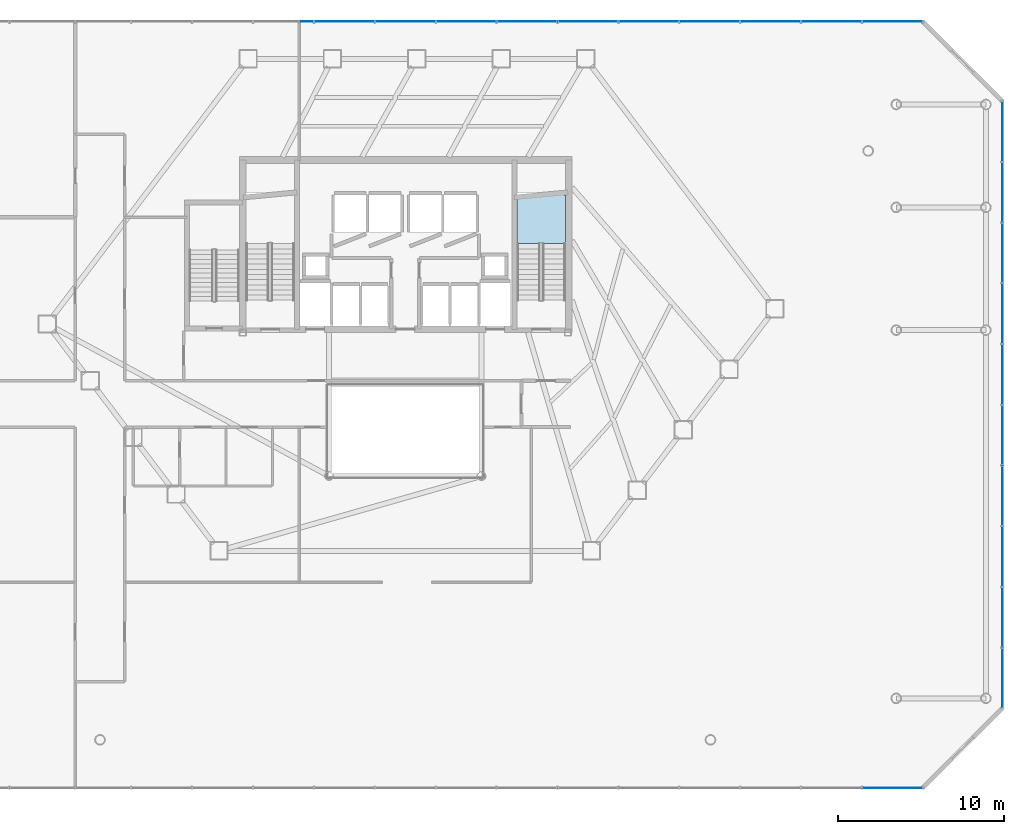
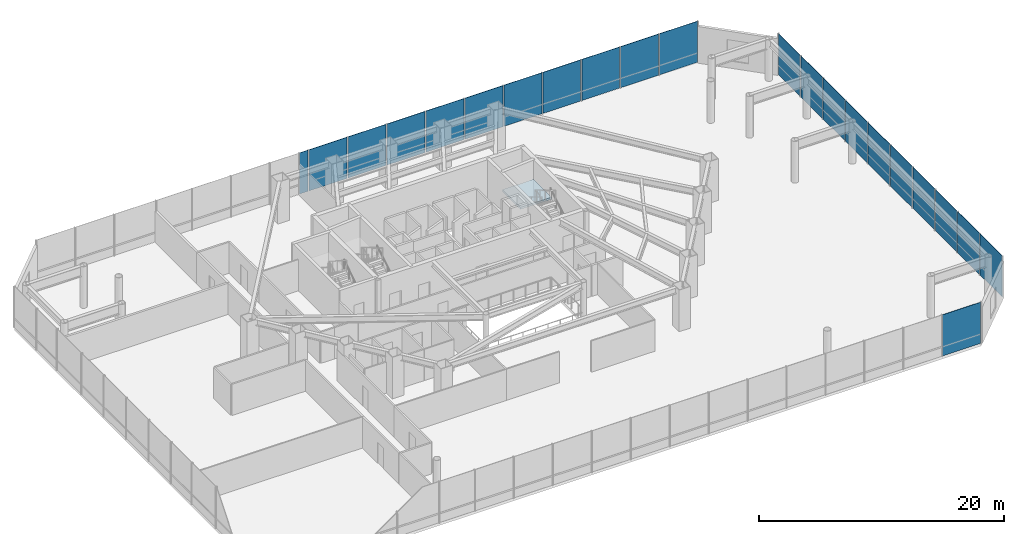
# One storey, part 33 of 37: 22 plates, 1 slab, 4 elements without a shape of their own.
"""IFC4 building model written with IfcOpenShell, lengths in metres."""

from ifc_helpers import new_model, si_unit, direction, frame, origin, origin_2d, place, context, subcontext, project, spatial, polyline, rectangle, outline, extrude, material, layer, layer_set, type_object, element, aggregate, save


model = new_model("IFC4")

# Units and contexts
model_context = context("Model", 3, precision=1e-05, world=origin(), true_north=direction((0.0, 1.0)))
body_context = subcontext(model_context, "Body", "Model", "MODEL_VIEW")
ifc_project = project(units=[si_unit("LENGTHUNIT", "METRE"), si_unit("AREAUNIT", "SQUARE_METRE"), si_unit("VOLUMEUNIT", "CUBIC_METRE"), si_unit("PLANEANGLEUNIT", "RADIAN"), si_unit("MASSUNIT", "GRAM", prefix="KILO")], contexts=[model_context])

# Site, building, storey
site_placement = place(None, origin())
site = spatial("IfcSite", under=ifc_project, at=site_placement, CompositionType="ELEMENT")
building_placement = place(site_placement, origin())
building = spatial("IfcBuilding", under=site, at=building_placement, Name="Zarrinselat Tower", CompositionType="ELEMENT")
storey_placement = place(building_placement, frame((0.0, 0.0, 9.52001953125)))
storey = spatial("IfcBuildingStorey", under=building, at=storey_placement, Name="L02", CompositionType="ELEMENT", Elevation=9.52001953125)

# Curtain wall, plate
ifc_material_1 = material(Name="Extruded Aluminium Alloy EN AW-6063 T6", Category="aluminium")
ifc_layer_1 = layer(ifc_material_1, 0.2099609375)
ifc_layer_set_1 = layer_set([ifc_layer_1], Name="Extruded Aluminium Alloy EN AW-6063 T6")
curtain_wall_type = type_object("IfcCurtainWallType", Name="CWS-POD", PredefinedType="NOTDEFINED", material=ifc_layer_set_1)
curtain_wall_1_placement = place(storey_placement, origin())
curtain_wall_1 = element("IfcCurtainWall", 1, at=curtain_wall_1_placement, inside=storey, type_object=curtain_wall_type, Name="L02 Unitised Curtain Wall CW-L02-F1", PredefinedType="NOTDEFINED")
ifc_material_2 = material(Name="Double Low-E Laminated Solar Glass", Category="glass")
ifc_layer_2 = layer(ifc_material_2, 0.035888671875)
ifc_layer_set_2 = layer_set([ifc_layer_2], Name="Double Low-E Laminated Solar Glass")
plate_type = type_object("IfcPlateType", Name="PLT-CW-GL36", PredefinedType="CURTAIN_PANEL", material=ifc_layer_set_2)
plate_1_placement = place(storey_placement, frame((67.7646484375, 5.60009765625, 0.02001953125), z_axis=(0.0, 0.0, 1.0), x_axis=(1.0, 0.0, 0.0)))
plate_1 = element("IfcPlate", 2, at=plate_1_placement, type_object=plate_type, Name="CW-L02-F1 Vision Glass Panel 17", PredefinedType="CURTAIN_PANEL", context=body_context, shape_type="SweptSolid", body=[
    extrude(rectangle(XDim=3.570556640625, YDim=0.035888671875, at=origin_2d()), origin(), (0.0, 0.0, 1.0), 4.10009765625),
])
aggregate(curtain_wall_1, [plate_1])

# Curtain wall, plates
curtain_wall_2_placement = place(storey_placement, origin())
curtain_wall_2 = element("IfcCurtainWall", 3, at=curtain_wall_2_placement, inside=storey, type_object=curtain_wall_type, Name="L02 Unitised Curtain Wall CW-L02-F3", PredefinedType="NOTDEFINED")
plate_2_placement = place(storey_placement, frame((74.39990234375, 12.22998046875, 0.02001953125), z_axis=(0.0, 0.0, 1.0), x_axis=(0.0, 1.0, 0.0)))
plate_2 = element("IfcPlate", 4, at=plate_2_placement, type_object=plate_type, Name="CW-L02-F3 Vision Glass Panel 1", PredefinedType="CURTAIN_PANEL", context=body_context, shape_type="SweptSolid", body=[
    extrude(rectangle(XDim=3.56005859375, YDim=0.035888671875, at=origin_2d()), origin(), (0.0, 0.0, 1.0), 4.10009765625),
])
plate_3_placement = place(storey_placement, frame((74.39990234375, 15.889892578125, 0.02001953125), z_axis=(0.0, 0.0, 1.0), x_axis=(0.0, 1.0, 0.0)))
plate_3 = element("IfcPlate", 5, at=plate_3_placement, type_object=plate_type, Name="CW-L02-F3 Vision Glass Panel 2", PredefinedType="CURTAIN_PANEL", context=body_context, shape_type="SweptSolid", body=[
    extrude(rectangle(XDim=3.56005859375, YDim=0.035888671875, at=origin_2d()), origin(), (0.0, 0.0, 1.0), 4.10009765625),
])
plate_4_placement = place(storey_placement, frame((74.39990234375, 19.550048828125, 0.02001953125), z_axis=(0.0, 0.0, 1.0), x_axis=(0.0, 1.0, 0.0)))
plate_4 = element("IfcPlate", 6, at=plate_4_placement, type_object=plate_type, Name="CW-L02-F3 Vision Glass Panel 3", PredefinedType="CURTAIN_PANEL", context=body_context, shape_type="SweptSolid", body=[
    extrude(rectangle(XDim=3.56005859375, YDim=0.035888671875, at=origin_2d()), origin(), (0.0, 0.0, 1.0), 4.10009765625),
])
plate_5_placement = place(storey_placement, frame((74.39990234375, 23.2099609375, 0.02001953125), z_axis=(0.0, 0.0, 1.0), x_axis=(0.0, 1.0, 0.0)))
plate_5 = element("IfcPlate", 7, at=plate_5_placement, type_object=plate_type, Name="CW-L02-F3 Vision Glass Panel 4", PredefinedType="CURTAIN_PANEL", context=body_context, shape_type="SweptSolid", body=[
    extrude(rectangle(XDim=3.56005859375, YDim=0.035888671875, at=origin_2d()), origin(), (0.0, 0.0, 1.0), 4.10009765625),
])
plate_6_placement = place(storey_placement, frame((74.39990234375, 26.8701171875, 0.02001953125), z_axis=(0.0, 0.0, 1.0), x_axis=(0.0, 1.0, 0.0)))
plate_6 = element("IfcPlate", 8, at=plate_6_placement, type_object=plate_type, Name="CW-L02-F3 Vision Glass Panel 5", PredefinedType="CURTAIN_PANEL", context=body_context, shape_type="SweptSolid", body=[
    extrude(rectangle(XDim=3.56005859375, YDim=0.035888671875, at=origin_2d()), origin(), (0.0, 0.0, 1.0), 4.10009765625),
])
plate_7_placement = place(storey_placement, frame((74.39990234375, 30.530029296875, 0.02001953125), z_axis=(0.0, 0.0, 1.0), x_axis=(0.0, 1.0, 0.0)))
plate_7 = element("IfcPlate", 9, at=plate_7_placement, type_object=plate_type, Name="CW-L02-F3 Vision Glass Panel 6", PredefinedType="CURTAIN_PANEL", context=body_context, shape_type="SweptSolid", body=[
    extrude(rectangle(XDim=3.56005859375, YDim=0.035888671875, at=origin_2d()), origin(), (0.0, 0.0, 1.0), 4.10009765625),
])
plate_8_placement = place(storey_placement, frame((74.39990234375, 34.18994140625, 0.02001953125), z_axis=(0.0, 0.0, 1.0), x_axis=(0.0, 1.0, 0.0)))
plate_8 = element("IfcPlate", 10, at=plate_8_placement, type_object=plate_type, Name="CW-L02-F3 Vision Glass Panel 7", PredefinedType="CURTAIN_PANEL", context=body_context, shape_type="SweptSolid", body=[
    extrude(rectangle(XDim=3.56005859375, YDim=0.035888671875, at=origin_2d()), origin(), (0.0, 0.0, 1.0), 4.10009765625),
])
plate_9_placement = place(storey_placement, frame((74.39990234375, 37.85009765625, 0.02001953125), z_axis=(0.0, 0.0, 1.0), x_axis=(0.0, 1.0, 0.0)))
plate_9 = element("IfcPlate", 11, at=plate_9_placement, type_object=plate_type, Name="CW-L02-F3 Vision Glass Panel 8", PredefinedType="CURTAIN_PANEL", context=body_context, shape_type="SweptSolid", body=[
    extrude(rectangle(XDim=3.56005859375, YDim=0.035888671875, at=origin_2d()), origin(), (0.0, 0.0, 1.0), 4.10009765625),
])
plate_10_placement = place(storey_placement, frame((74.39990234375, 41.510009765625, 0.02001953125), z_axis=(0.0, 0.0, 1.0), x_axis=(0.0, 1.0, 0.0)))
plate_10 = element("IfcPlate", 12, at=plate_10_placement, type_object=plate_type, Name="CW-L02-F3 Vision Glass Panel 9", PredefinedType="CURTAIN_PANEL", context=body_context, shape_type="SweptSolid", body=[
    extrude(rectangle(XDim=3.56005859375, YDim=0.035888671875, at=origin_2d()), origin(), (0.0, 0.0, 1.0), 4.10009765625),
])
plate_11_placement = place(storey_placement, frame((74.39990234375, 45.169921875, 0.02001953125), z_axis=(0.0, 0.0, 1.0), x_axis=(0.0, 1.0, 0.0)))
plate_11 = element("IfcPlate", 13, at=plate_11_placement, type_object=plate_type, Name="CW-L02-F3 Vision Glass Panel 10", PredefinedType="CURTAIN_PANEL", context=body_context, shape_type="SweptSolid", body=[
    extrude(rectangle(XDim=3.56005859375, YDim=0.035888671875, at=origin_2d()), origin(), (0.0, 0.0, 1.0), 4.10009765625),
])
aggregate(curtain_wall_2, [plate_2, plate_3, plate_4, plate_5, plate_6, plate_7, plate_8, plate_9, plate_10, plate_11])

curtain_wall_3_placement = place(storey_placement, origin())
curtain_wall_3 = element("IfcCurtainWall", 14, at=curtain_wall_3_placement, inside=storey, type_object=curtain_wall_type, Name="L02 Unitised Curtain Wall CW-L02-F5", PredefinedType="NOTDEFINED")
plate_12_placement = place(storey_placement, frame((67.7646484375, 51.800048828125, 0.02001953125), z_axis=(0.0, 0.0, 1.0), x_axis=(-1.0, 0.0, 0.0)))
plate_12 = element("IfcPlate", 15, at=plate_12_placement, type_object=plate_type, Name="CW-L02-F5 Vision Glass Panel 1", PredefinedType="CURTAIN_PANEL", context=body_context, shape_type="SweptSolid", body=[
    extrude(rectangle(XDim=3.570556640625, YDim=0.035888671875, at=origin_2d()), origin(), (0.0, 0.0, 1.0), 4.10009765625),
])
plate_13_placement = place(storey_placement, frame((64.093994140625, 51.800048828125, 0.02001953125), z_axis=(0.0, 0.0, 1.0), x_axis=(-1.0, 0.0, 0.0)))
plate_13 = element("IfcPlate", 16, at=plate_13_placement, type_object=plate_type, Name="CW-L02-F5 Vision Glass Panel 2", PredefinedType="CURTAIN_PANEL", context=body_context, shape_type="SweptSolid", body=[
    extrude(rectangle(XDim=3.570556640625, YDim=0.035888671875, at=origin_2d()), origin(), (0.0, 0.0, 1.0), 4.10009765625),
])
plate_14_placement = place(storey_placement, frame((60.423583984375, 51.800048828125, 0.02001953125), z_axis=(0.0, 0.0, 1.0), x_axis=(-1.0, 0.0, 0.0)))
plate_14 = element("IfcPlate", 17, at=plate_14_placement, type_object=plate_type, Name="CW-L02-F5 Vision Glass Panel 3", PredefinedType="CURTAIN_PANEL", context=body_context, shape_type="SweptSolid", body=[
    extrude(rectangle(XDim=3.570556640625, YDim=0.035888671875, at=origin_2d()), origin(), (0.0, 0.0, 1.0), 4.10009765625),
])
plate_15_placement = place(storey_placement, frame((56.7529296875, 51.800048828125, 0.02001953125), z_axis=(0.0, 0.0, 1.0), x_axis=(-1.0, 0.0, 0.0)))
plate_15 = element("IfcPlate", 18, at=plate_15_placement, type_object=plate_type, Name="CW-L02-F5 Vision Glass Panel 4", PredefinedType="CURTAIN_PANEL", context=body_context, shape_type="SweptSolid", body=[
    extrude(rectangle(XDim=3.570556640625, YDim=0.035888671875, at=origin_2d()), origin(), (0.0, 0.0, 1.0), 4.10009765625),
])
plate_16_placement = place(storey_placement, frame((53.08251953125, 51.800048828125, 0.02001953125), z_axis=(0.0, 0.0, 1.0), x_axis=(-1.0, 0.0, 0.0)))
plate_16 = element("IfcPlate", 19, at=plate_16_placement, type_object=plate_type, Name="CW-L02-F5 Vision Glass Panel 5", PredefinedType="CURTAIN_PANEL", context=body_context, shape_type="SweptSolid", body=[
    extrude(rectangle(XDim=3.570556640625, YDim=0.035888671875, at=origin_2d()), origin(), (0.0, 0.0, 1.0), 4.10009765625),
])
plate_17_placement = place(storey_placement, frame((49.411865234375, 51.800048828125, 0.02001953125), z_axis=(0.0, 0.0, 1.0), x_axis=(-1.0, 0.0, 0.0)))
plate_17 = element("IfcPlate", 20, at=plate_17_placement, type_object=plate_type, Name="CW-L02-F5 Vision Glass Panel 6", PredefinedType="CURTAIN_PANEL", context=body_context, shape_type="SweptSolid", body=[
    extrude(rectangle(XDim=3.570556640625, YDim=0.035888671875, at=origin_2d()), origin(), (0.0, 0.0, 1.0), 4.10009765625),
])
plate_18_placement = place(storey_placement, frame((45.7412109375, 51.800048828125, 0.02001953125), z_axis=(0.0, 0.0, 1.0), x_axis=(-1.0, 0.0, 0.0)))
plate_18 = element("IfcPlate", 21, at=plate_18_placement, type_object=plate_type, Name="CW-L02-F5 Vision Glass Panel 7", PredefinedType="CURTAIN_PANEL", context=body_context, shape_type="SweptSolid", body=[
    extrude(rectangle(XDim=3.570556640625, YDim=0.035888671875, at=origin_2d()), origin(), (0.0, 0.0, 1.0), 4.10009765625),
])
plate_19_placement = place(storey_placement, frame((42.070556640625, 51.800048828125, 0.02001953125), z_axis=(0.0, 0.0, 1.0), x_axis=(-1.0, 0.0, 0.0)))
plate_19 = element("IfcPlate", 22, at=plate_19_placement, type_object=plate_type, Name="CW-L02-F5 Vision Glass Panel 8", PredefinedType="CURTAIN_PANEL", context=body_context, shape_type="SweptSolid", body=[
    extrude(rectangle(XDim=3.570556640625, YDim=0.035888671875, at=origin_2d()), origin(), (0.0, 0.0, 1.0), 4.10009765625),
])
plate_20_placement = place(storey_placement, frame((38.39990234375, 51.800048828125, 0.02001953125), z_axis=(0.0, 0.0, 1.0), x_axis=(-1.0, 0.0, 0.0)))
plate_20 = element("IfcPlate", 23, at=plate_20_placement, type_object=plate_type, Name="CW-L02-F5 Vision Glass Panel 9", PredefinedType="CURTAIN_PANEL", context=body_context, shape_type="SweptSolid", body=[
    extrude(rectangle(XDim=3.570556640625, YDim=0.035888671875, at=origin_2d()), origin(), (0.0, 0.0, 1.0), 4.10009765625),
])
plate_21_placement = place(storey_placement, frame((34.7294921875, 51.800048828125, 0.02001953125), z_axis=(0.0, 0.0, 1.0), x_axis=(-1.0, 0.0, 0.0)))
plate_21 = element("IfcPlate", 24, at=plate_21_placement, type_object=plate_type, Name="CW-L02-F5 Vision Glass Panel 10", PredefinedType="CURTAIN_PANEL", context=body_context, shape_type="SweptSolid", body=[
    extrude(rectangle(XDim=3.570556640625, YDim=0.035888671875, at=origin_2d()), origin(), (0.0, 0.0, 1.0), 4.10009765625),
])
plate_22_placement = place(storey_placement, frame((32.447021484375, 51.800048828125, 0.02001953125), z_axis=(0.0, 0.0, 1.0), x_axis=(-1.0, 0.0, 0.0)))
plate_22 = element("IfcPlate", 25, at=plate_22_placement, type_object=plate_type, Name="CW-L02-F5 Vision Glass Panel 11", PredefinedType="CURTAIN_PANEL", context=body_context, shape_type="SweptSolid", body=[
    extrude(rectangle(XDim=0.794189453125, YDim=0.035888671875, at=origin_2d()), origin(), (0.0, 0.0, 1.0), 4.10009765625),
])
aggregate(curtain_wall_3, [plate_12, plate_13, plate_14, plate_15, plate_16, plate_17, plate_18, plate_19, plate_20, plate_21, plate_22])

# Stair, slab
ifc_material_3 = material(Name="Concrete C40/50", Category="concrete")
stair_type = type_object("IfcStairType", Name="STR-CORE-155", PredefinedType="HALF_TURN_STAIR", material=ifc_material_3)
stair_placement = place(storey_placement, origin())
stair = element("IfcStair", 26, at=stair_placement, inside=storey, type_object=stair_type, Name="L02 Core Exit Stair 2", PredefinedType="HALF_TURN_STAIR")
ifc_material_4 = material(Name="Concrete C40/50", Category="concrete")
ifc_layer_3 = layer(ifc_material_4, 0.18994140625)
ifc_layer_set_3 = layer_set([ifc_layer_3], Name="Concrete C40/50")
slab_type = type_object("IfcSlabType", Name="SLB-LND-190", PredefinedType="LANDING", material=ifc_layer_set_3)
slab_placement = place(storey_placement, frame((0.0, 0.0, 2.010009765625)))
slab = element("IfcSlab", 27, at=slab_placement, type_object=slab_type, Name="ST-2 landing 1", PredefinedType="LANDING", context=body_context, shape_type="SweptSolid", body=[
    extrude(outline(polyline([(48.06005859375, 38.409912109375), (48.06005859375, 41.35009765625), (45.139892578125, 41.35009765625), (45.139892578125, 38.409912109375), (48.06005859375, 38.409912109375)])), origin(), (0.0, 0.0, 1.0), 0.199951171875),
])
aggregate(stair, [slab])

save(model, "model.ifc")
